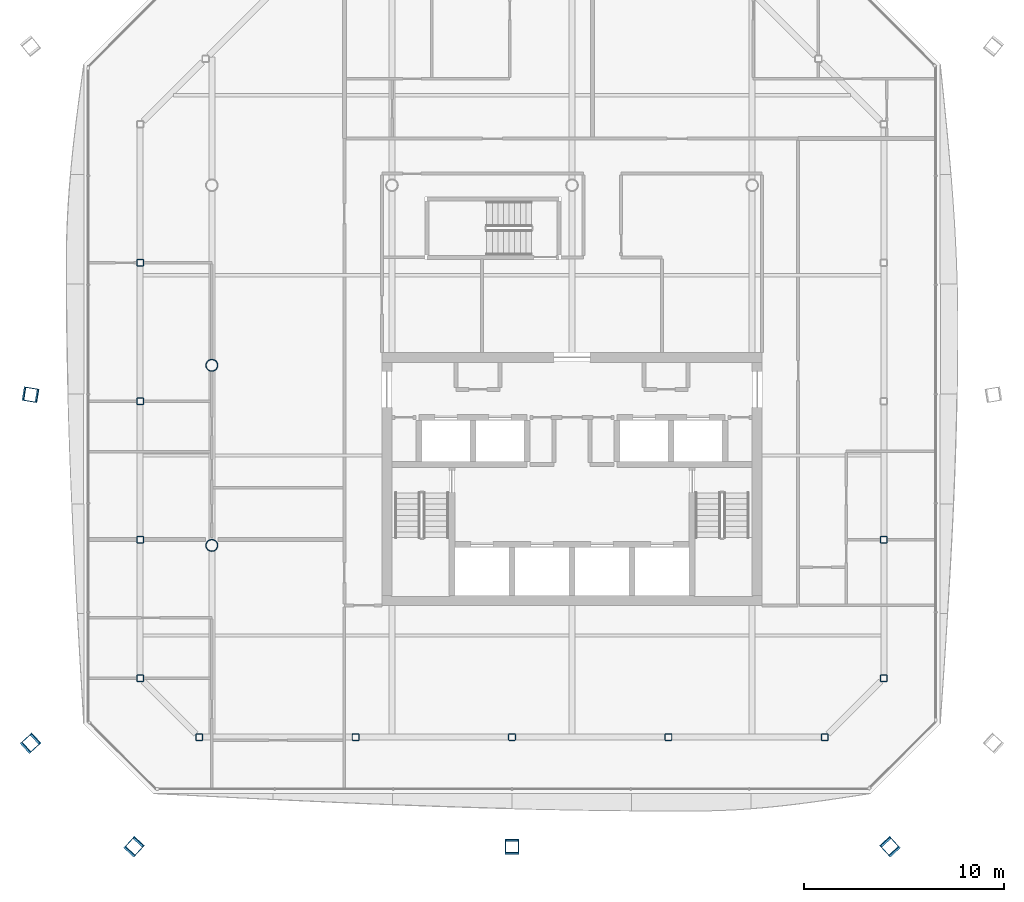
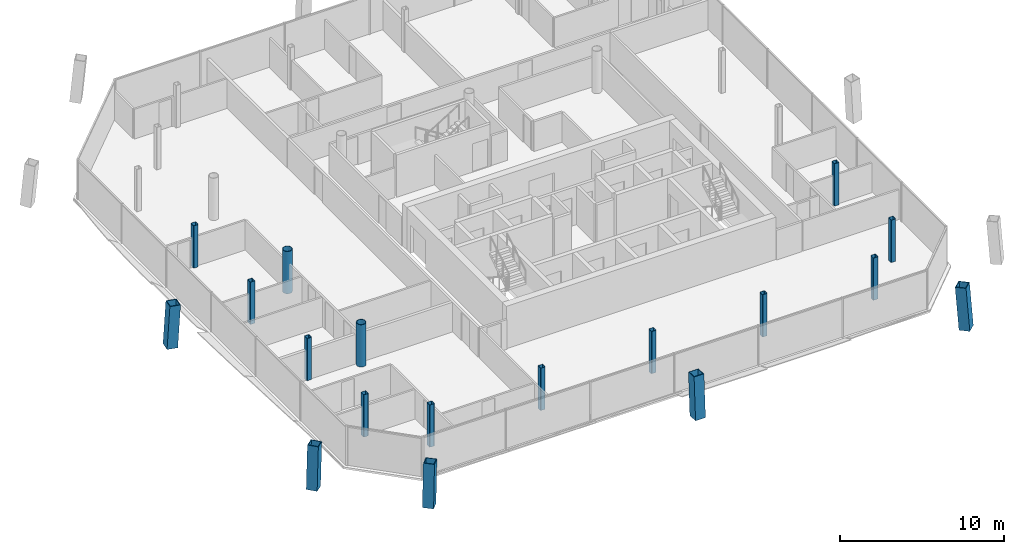
# One storey, part 1 of 20: 18 columns.
"""IFC4 building model written with IfcOpenShell, lengths in metres."""

from ifc_helpers import new_model, si_unit, direction, frame, origin, origin_2d, place, context, subcontext, project, spatial, hollow_rectangle, hollow_circle, extrude, material, material_profile, profile_set, type_object, element, save


model = new_model("IFC4")

# Units and contexts
model_context = context("Model", 3, precision=1e-05, world=origin(), true_north=direction((0.0, 1.0)))
body_context = subcontext(model_context, "Body", "Model", "MODEL_VIEW")
ifc_project = project(units=[si_unit("LENGTHUNIT", "METRE"), si_unit("AREAUNIT", "SQUARE_METRE"), si_unit("VOLUMEUNIT", "CUBIC_METRE"), si_unit("PLANEANGLEUNIT", "RADIAN"), si_unit("MASSUNIT", "GRAM", prefix="KILO")], contexts=[model_context])

# Site, building, storey
site_placement = place(None, origin())
site = spatial("IfcSite", under=ifc_project, at=site_placement, CompositionType="ELEMENT")
building_placement = place(site_placement, origin())
building = spatial("IfcBuilding", under=site, at=building_placement, Name="Tskaro Facet Tower", CompositionType="ELEMENT")
storey_placement = place(building_placement, frame((0.0, 0.0, 175.35009765625)))
storey = spatial("IfcBuildingStorey", under=building, at=storey_placement, Name="L43", CompositionType="ELEMENT", Elevation=175.35009765625)

# Columns
ifc_material_1 = material(Name="Steel S460M", Category="steel")
ifc_material_profile_1 = material_profile(ifc_material_1, hollow_rectangle(XDim=0.699951171875, YDim=0.699951171875, WallThickness=0.044921875, at=origin_2d()), Name="BOX 700x700x45")
ifc_profile_set_1 = profile_set([ifc_material_profile_1], Name="Steel S460M")
column_type_1 = type_object("IfcColumnType", Name="BOX 700x700x45 mega column", PredefinedType="COLUMN", material=ifc_profile_set_1)
column_1_placement = place(storey_placement, frame((-21.91796875, -24.093017578125, 0.0), z_axis=(0.05254443934, 0.057644340806, 0.996953465247), x_axis=(-0.739042878551, 0.673658387955, 0.0)))
element("IfcColumn", 1, at=column_1_placement, inside=storey, type_object=column_type_1, Name="BOX 700x700x45 MC01/4", PredefinedType="COLUMN", context=body_context, shape_type="SweptSolid", body=[
    extrude(hollow_rectangle(XDim=0.699951171875, YDim=0.699951171875, WallThickness=0.044921875, at=origin_2d()), origin(), (0.0, 0.0, 1.0), 3.159423828125),
])
column_2_placement = place(storey_placement, frame((-3.0, -24.093017578125, 0.0), z_axis=(0.0, 0.057724081614, 0.998332575048), x_axis=(-1.0, 0.0, 0.0)))
element("IfcColumn", 2, at=column_2_placement, inside=storey, type_object=column_type_1, Name="BOX 700x700x45 MC02/4", PredefinedType="COLUMN", context=body_context, shape_type="SweptSolid", body=[
    extrude(hollow_rectangle(XDim=0.699951171875, YDim=0.699951171875, WallThickness=0.044921875, at=origin_2d()), origin(), (0.0, 0.0, 1.0), 3.1552734375),
])
column_3_placement = place(storey_placement, frame((15.91796875, -24.093017578125, 0.0), z_axis=(-0.05254443934, 0.057644340806, 0.996953465247), x_axis=(-0.739042878551, -0.673658387955, 0.0)))
element("IfcColumn", 3, at=column_3_placement, inside=storey, type_object=column_type_1, Name="BOX 700x700x45 MC03/4", PredefinedType="COLUMN", context=body_context, shape_type="SweptSolid", body=[
    extrude(hollow_rectangle(XDim=0.699951171875, YDim=0.699951171875, WallThickness=0.044921875, at=origin_2d()), origin(), (0.0, 0.0, 1.0), 3.159423828125),
])
column_4_placement = place(storey_placement, frame((-27.093017578125, -1.464111328125, 0.0), z_axis=(0.057721509714, -0.009439710704, 0.998288094278), x_axis=(0.161394864897, 0.986889911583, 0.0)))
element("IfcColumn", 4, at=column_4_placement, inside=storey, type_object=column_type_1, Name="BOX 700x700x45 MC11/4", PredefinedType="COLUMN", context=body_context, shape_type="SweptSolid", body=[
    extrude(hollow_rectangle(XDim=0.699951171875, YDim=0.699951171875, WallThickness=0.044921875, at=origin_2d()), origin(), (0.0, 0.0, 1.0), 3.1552734375),
])
column_5_placement = place(storey_placement, frame((-27.093017578125, -18.91796875, 0.0), z_axis=(0.057644340806, 0.05254443934, 0.996953465247), x_axis=(-0.673658387955, 0.739042878551, 0.0)))
element("IfcColumn", 5, at=column_5_placement, inside=storey, type_object=column_type_1, Name="BOX 700x700x45 MC12/4", PredefinedType="COLUMN", context=body_context, shape_type="SweptSolid", body=[
    extrude(hollow_rectangle(XDim=0.699951171875, YDim=0.699951171875, WallThickness=0.044921875, at=origin_2d()), origin(), (0.0, 0.0, 1.0), 3.159423828125),
])
ifc_material_2 = material(Name="Steel S355J2H", Category="steel")
ifc_material_profile_2 = material_profile(ifc_material_2, hollow_circle(Radius=0.304931640625, WallThickness=0.030029296875, at=origin_2d()), Name="CHS 610x30")
ifc_profile_set_2 = profile_set([ifc_material_profile_2], Name="Steel S355J2H")
column_type_2 = type_object("IfcColumnType", Name="CHS 610x30 interior column", PredefinedType="COLUMN", material=ifc_profile_set_2)
for number, where, z_axis, x_axis, name in (
    (6, (-18.0, -9.0, 0.0), (0.0, 0.0, 1.0), (1.0, 0.0, 0.0), "CHS 610x30 C2C/4"),
    (7, (-18.0, 0.0, 0.0), (0.0, 0.0, 1.0), (1.0, 0.0, 0.0), "CHS 610x30 C2D/4"),
):
    element("IfcColumn", number, at=place(storey_placement, frame(where, z_axis=z_axis, x_axis=x_axis)), inside=storey, type_object=column_type_2, Name=name, PredefinedType="COLUMN", context=body_context, shape_type="SweptSolid", body=[
        extrude(hollow_circle(Radius=0.304931640625, WallThickness=0.030029296875, at=origin_2d()), origin(), (0.0, 0.0, 1.0), 3.14990234375),
    ])
ifc_material_profile_3 = material_profile(ifc_material_2, hollow_rectangle(XDim=0.35009765625, YDim=0.35009765625, WallThickness=0.02001953125, InnerFilletRadius=0.030029296875, OuterFilletRadius=0.050048828125, at=origin_2d()), Name="SHS 350x350x20")
ifc_profile_set_3 = profile_set([ifc_material_profile_3], Name="Steel S355J2H")
column_type_3 = type_object("IfcColumnType", Name="SHS 350x350x20 ring column", PredefinedType="COLUMN", material=ifc_profile_set_3)
for number, where, z_axis, x_axis, name in (
    (8, (-18.633056640625, -18.5830078125, 0.0), (0.0, 0.0, 1.0), (1.0, 0.0, 0.0), "SHS 350x350x20 RS-1/4"),
    (9, (-10.81591796875, -18.5830078125, 0.0), (0.0, 0.0, 1.0), (1.0, 0.0, 0.0), "SHS 350x350x20 RS-2/4"),
    (10, (-3.0, -18.5830078125, 0.0), (0.0, 0.0, 1.0), (1.0, 0.0, 0.0), "SHS 350x350x20 RS-3/4"),
    (11, (4.81689453125, -18.5830078125, 0.0), (0.0, 0.0, 1.0), (1.0, 0.0, 0.0), "SHS 350x350x20 RS-4/4"),
    (12, (12.633056640625, -18.5830078125, 0.0), (0.0, 0.0, 1.0), (1.0, 0.0, 0.0), "SHS 350x350x20 RSE-1/4"),
    (13, (15.5830078125, -15.633056640625, 0.0), (0.0, 0.0, 1.0), (1.0, 0.0, 0.0), "SHS 350x350x20 RE-1/4"),
    (14, (15.5830078125, -8.712890625, 0.0), (0.0, 0.0, 1.0), (1.0, 0.0, 0.0), "SHS 350x350x20 RE-2/4"),
    (15, (-21.5830078125, 5.1259765625, 0.0), (0.0, 0.0, 1.0), (1.0, 0.0, 0.0), "SHS 350x350x20 RW-2/4"),
    (16, (-21.5830078125, -1.79296875, 0.0), (0.0, 0.0, 1.0), (1.0, 0.0, 0.0), "SHS 350x350x20 RW-3/4"),
    (17, (-21.5830078125, -8.712890625, 0.0), (0.0, 0.0, 1.0), (1.0, 0.0, 0.0), "SHS 350x350x20 RW-4/4"),
    (18, (-21.5830078125, -15.633056640625, 0.0), (0.0, 0.0, 1.0), (1.0, 0.0, 0.0), "SHS 350x350x20 RSW-1/4"),
):
    element("IfcColumn", number, at=place(storey_placement, frame(where, z_axis=z_axis, x_axis=x_axis)), inside=storey, type_object=column_type_3, Name=name, PredefinedType="COLUMN", context=body_context, shape_type="SweptSolid", body=[
        extrude(hollow_rectangle(XDim=0.35009765625, YDim=0.35009765625, WallThickness=0.02001953125, InnerFilletRadius=0.030029296875, OuterFilletRadius=0.050048828125, at=origin_2d()), origin(), (0.0, 0.0, 1.0), 3.14990234375),
    ])

save(model, "model.ifc")
